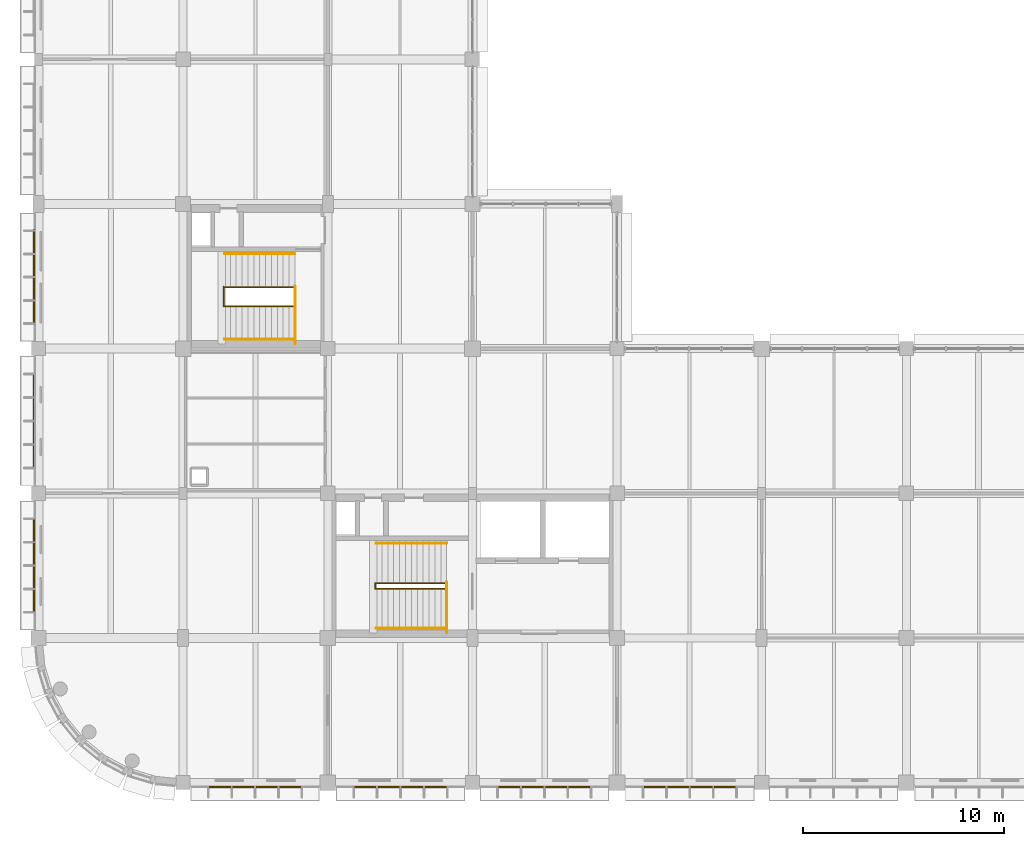
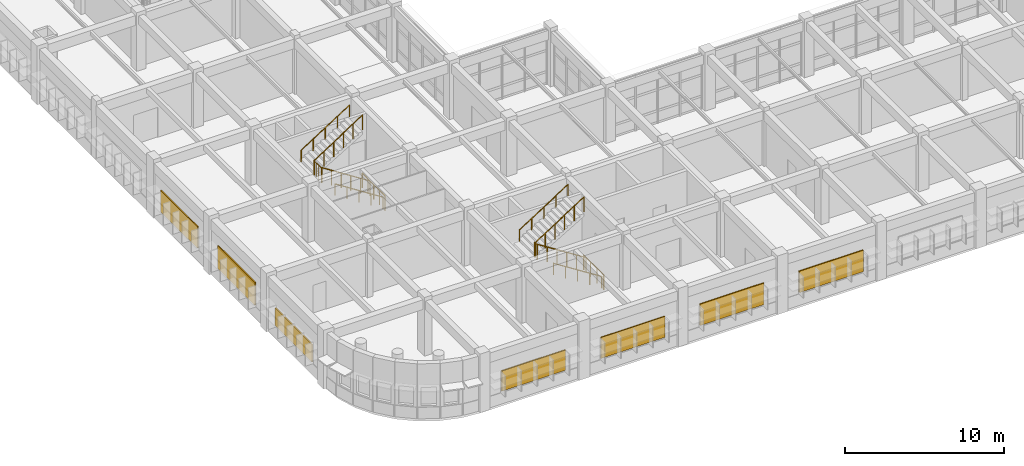
# One storey, part 164 of 171: 12 railings, 7 shading devices.
"""IFC4 building model written with IfcOpenShell, lengths in metres."""

from ifc_helpers import new_model, si_unit, direction, frame, origin, origin_2d, place, context, subcontext, project, spatial, rectangle, circle, extrude, material, layer, layer_set, type_object, element, save


model = new_model("IFC4")

# Units and contexts
model_context = context("Model", 3, precision=1e-05, world=origin(), true_north=direction((0.0, 1.0)))
body_context = subcontext(model_context, "Body", "Model", "MODEL_VIEW")
ifc_project = project(units=[si_unit("LENGTHUNIT", "METRE"), si_unit("AREAUNIT", "SQUARE_METRE"), si_unit("VOLUMEUNIT", "CUBIC_METRE"), si_unit("PLANEANGLEUNIT", "RADIAN"), si_unit("MASSUNIT", "GRAM", prefix="KILO")], contexts=[model_context])

# Site, building, storey
site_placement = place(None, origin())
site = spatial("IfcSite", under=ifc_project, at=site_placement, CompositionType="ELEMENT")
building_placement = place(site_placement, origin())
building = spatial("IfcBuilding", under=site, at=building_placement, Name="Thalmaran Polytechnic", CompositionType="ELEMENT")
storey_placement = place(building_placement, frame((0.0, 0.0, 5.39990234375)))
storey = spatial("IfcBuildingStorey", under=building, at=storey_placement, Name="L01", CompositionType="ELEMENT", Elevation=5.39990234375)

# Railings
ifc_material_1 = material(Name="Stainless steel 316", Category="steel")
railing_type_1 = type_object("IfcRailingType", Name="RL-GR01", PredefinedType="GUARDRAIL", material=ifc_material_1)
railing_1_placement = place(storey_placement, frame((20.330078125, 7.449951171875, 0.0)))
element("IfcRailing", 1, at=railing_1_placement, inside=storey, type_object=railing_type_1, Name="ST1 L01 Landing Edge Guardrail", PredefinedType="GUARDRAIL", context=body_context, shape_type="SweptSolid", body=[
    extrude(circle(Radius=0.02392578125, at=origin_2d()), frame((0.0, 0.0, 1.1259765625), z_axis=(0.0, 1.0, 0.0), x_axis=(-1.0, 0.0, 0.0)), (0.0, 0.0, 1.0), 2.530029296875),
    extrude(circle(Radius=0.02099609375, at=origin_2d()), origin(), (0.0, 0.0, 1.0), 1.101806640625),
    extrude(circle(Radius=0.02099609375, at=origin_2d()), frame((0.0, 0.84326171875, 0.0)), (0.0, 0.0, 1.0), 1.101806640625),
    extrude(circle(Radius=0.02099609375, at=origin_2d()), frame((0.0, 1.686767578125, 0.0)), (0.0, 0.0, 1.0), 1.101806640625),
    extrude(circle(Radius=0.02099609375, at=origin_2d()), frame((0.0, 2.530029296875, 0.0)), (0.0, 0.0, 1.0), 1.101806640625),
])
railing_2_placement = place(storey_placement, frame((20.320068359375, 9.659912109375, 0.0)))
element("IfcRailing", 2, at=railing_2_placement, inside=storey, type_object=railing_type_1, Name="ST1 L01 Lower Flight Guardrail", PredefinedType="GUARDRAIL", context=body_context, shape_type="SweptSolid", body=[
    extrude(circle(Radius=0.02392578125, at=origin_2d()), frame((0.0, 0.0, 1.1259765625), z_axis=(-0.84257692701, 0.0, 0.53857601327), x_axis=(0.0, -1.0, 0.0)), (0.0, 0.0, 1.0), 4.177734375),
    extrude(circle(Radius=0.02099609375, at=origin_2d()), origin(), (0.0, 0.0, 1.0), 1.101806640625),
    extrude(circle(Radius=0.02099609375, at=origin_2d()), frame((-0.7041015625, 0.0, 0.449951171875)), (0.0, 0.0, 1.0), 1.101806640625),
    extrude(circle(Radius=0.02099609375, at=origin_2d()), frame((-1.407958984375, 0.0, 0.89990234375)), (0.0, 0.0, 1.0), 1.101806640625),
    extrude(circle(Radius=0.02099609375, at=origin_2d()), frame((-2.112060546875, 0.0, 1.35009765625)), (0.0, 0.0, 1.0), 1.101806640625),
    extrude(circle(Radius=0.02099609375, at=origin_2d()), frame((-2.81591796875, 0.0, 1.800048828125)), (0.0, 0.0, 1.0), 1.101806640625),
    extrude(circle(Radius=0.02099609375, at=origin_2d()), frame((-3.52001953125, 0.0, 2.25)), (0.0, 0.0, 1.0), 1.101806640625),
])
railing_3_placement = place(storey_placement, frame((16.760009765625, 9.639892578125, 2.25)))
element("IfcRailing", 3, at=railing_3_placement, inside=storey, type_object=railing_type_1, Name="ST1 L01 Half-Landing Well Guardrail", PredefinedType="GUARDRAIL", context=body_context, shape_type="SweptSolid", body=[
    extrude(circle(Radius=0.02392578125, at=origin_2d()), frame((0.0, 0.0, 1.1259765625), z_axis=(0.0, 1.0, 0.0), x_axis=(-1.0, 0.0, 0.0)), (0.0, 0.0, 1.0), 0.300048828125),
    extrude(circle(Radius=0.02099609375, at=origin_2d()), origin(), (0.0, 0.0, 1.0), 1.101806640625),
    extrude(circle(Radius=0.02099609375, at=origin_2d()), frame((0.0, 0.300048828125, 0.0)), (0.0, 0.0, 1.0), 1.101806640625),
])
railing_4_placement = place(storey_placement, frame((16.800048828125, 9.919921875, 2.25)))
element("IfcRailing", 4, at=railing_4_placement, inside=storey, type_object=railing_type_1, Name="ST1 L01 Upper Flight Guardrail", PredefinedType="GUARDRAIL", context=body_context, shape_type="SweptSolid", body=[
    extrude(circle(Radius=0.02392578125, at=origin_2d()), frame((0.0, 0.0, 1.1259765625), z_axis=(0.84257692701, 0.0, 0.53857601327), x_axis=(0.0, 1.0, 0.0)), (0.0, 0.0, 1.0), 4.177734375),
    extrude(circle(Radius=0.02099609375, at=origin_2d()), origin(), (0.0, 0.0, 1.0), 1.101806640625),
    extrude(circle(Radius=0.02099609375, at=origin_2d()), frame((0.7041015625, 0.0, 0.449951171875)), (0.0, 0.0, 1.0), 1.101806640625),
    extrude(circle(Radius=0.02099609375, at=origin_2d()), frame((1.407958984375, 0.0, 0.89990234375)), (0.0, 0.0, 1.0), 1.101806640625),
    extrude(circle(Radius=0.02099609375, at=origin_2d()), frame((2.112060546875, 0.0, 1.35009765625)), (0.0, 0.0, 1.0), 1.101806640625),
    extrude(circle(Radius=0.02099609375, at=origin_2d()), frame((2.81591796875, 0.0, 1.800048828125)), (0.0, 0.0, 1.0), 1.101806640625),
    extrude(circle(Radius=0.02099609375, at=origin_2d()), frame((3.52001953125, 0.0, 2.25)), (0.0, 0.0, 1.0), 1.101806640625),
])
railing_5_placement = place(storey_placement, frame((12.77001953125, 21.85009765625, 0.0)))
element("IfcRailing", 5, at=railing_5_placement, inside=storey, type_object=railing_type_1, Name="ST3 L01 Landing Edge Guardrail", PredefinedType="GUARDRAIL", context=body_context, shape_type="SweptSolid", body=[
    extrude(circle(Radius=0.02392578125, at=origin_2d()), frame((0.0, 0.0, 1.1259765625), z_axis=(0.0, 1.0, 0.0), x_axis=(-1.0, 0.0, 0.0)), (0.0, 0.0, 1.0), 2.869873046875),
    extrude(circle(Radius=0.02099609375, at=origin_2d()), origin(), (0.0, 0.0, 1.0), 1.101806640625),
    extrude(circle(Radius=0.02099609375, at=origin_2d()), frame((0.0, 0.717529296875, 0.0)), (0.0, 0.0, 1.0), 1.101806640625),
    extrude(circle(Radius=0.02099609375, at=origin_2d()), frame((0.0, 1.43505859375, 0.0)), (0.0, 0.0, 1.0), 1.101806640625),
    extrude(circle(Radius=0.02099609375, at=origin_2d()), frame((0.0, 2.15234375, 0.0)), (0.0, 0.0, 1.0), 1.101806640625),
    extrude(circle(Radius=0.02099609375, at=origin_2d()), frame((0.0, 2.869873046875, 0.0)), (0.0, 0.0, 1.0), 1.101806640625),
])
railing_6_placement = place(storey_placement, frame((12.760009765625, 23.719970703125, 0.0)))
element("IfcRailing", 6, at=railing_6_placement, inside=storey, type_object=railing_type_1, Name="ST3 L01 Lower Flight Guardrail", PredefinedType="GUARDRAIL", context=body_context, shape_type="SweptSolid", body=[
    extrude(circle(Radius=0.02392578125, at=origin_2d()), frame((0.0, 0.0, 1.1259765625), z_axis=(-0.841178475377, 0.0, 0.540757591313), x_axis=(0.0, -1.0, 0.0)), (0.0, 0.0, 1.0), 4.160888671875),
    extrude(circle(Radius=0.02099609375, at=origin_2d()), origin(), (0.0, 0.0, 1.0), 1.101806640625),
    extrude(circle(Radius=0.02099609375, at=origin_2d()), frame((-0.699951171875, 0.0, 0.449951171875)), (0.0, 0.0, 1.0), 1.101806640625),
    extrude(circle(Radius=0.02099609375, at=origin_2d()), frame((-1.39990234375, 0.0, 0.89990234375)), (0.0, 0.0, 1.0), 1.101806640625),
    extrude(circle(Radius=0.02099609375, at=origin_2d()), frame((-2.10009765625, 0.0, 1.35009765625)), (0.0, 0.0, 1.0), 1.101806640625),
    extrude(circle(Radius=0.02099609375, at=origin_2d()), frame((-2.800048828125, 0.0, 1.800048828125)), (0.0, 0.0, 1.0), 1.101806640625),
    extrude(circle(Radius=0.02099609375, at=origin_2d()), frame((-3.5, 0.0, 2.25)), (0.0, 0.0, 1.0), 1.101806640625),
])
railing_7_placement = place(storey_placement, frame((9.219970703125, 23.699951171875, 2.25)))
element("IfcRailing", 7, at=railing_7_placement, inside=storey, type_object=railing_type_1, Name="ST3 L01 Half-Landing Well Guardrail", PredefinedType="GUARDRAIL", context=body_context, shape_type="SweptSolid", body=[
    extrude(circle(Radius=0.02392578125, at=origin_2d()), frame((0.0, 0.0, 1.1259765625), z_axis=(0.0, 1.0, 0.0), x_axis=(-1.0, 0.0, 0.0)), (0.0, 0.0, 1.0), 0.97998046875),
    extrude(circle(Radius=0.02099609375, at=origin_2d()), origin(), (0.0, 0.0, 1.0), 1.101806640625),
    extrude(circle(Radius=0.02099609375, at=origin_2d()), frame((0.0, 0.32666015625, 0.0)), (0.0, 0.0, 1.0), 1.101806640625),
    extrude(circle(Radius=0.02099609375, at=origin_2d()), frame((0.0, 0.6533203125, 0.0)), (0.0, 0.0, 1.0), 1.101806640625),
    extrude(circle(Radius=0.02099609375, at=origin_2d()), frame((0.0, 0.97998046875, 0.0)), (0.0, 0.0, 1.0), 1.101806640625),
])
railing_8_placement = place(storey_placement, frame((9.260009765625, 24.659912109375, 2.25)))
element("IfcRailing", 8, at=railing_8_placement, inside=storey, type_object=railing_type_1, Name="ST3 L01 Upper Flight Guardrail", PredefinedType="GUARDRAIL", context=body_context, shape_type="SweptSolid", body=[
    extrude(circle(Radius=0.02392578125, at=origin_2d()), frame((0.0, 0.0, 1.1259765625), z_axis=(0.841178475377, 0.0, 0.540757591313), x_axis=(0.0, 1.0, 0.0)), (0.0, 0.0, 1.0), 4.160888671875),
    extrude(circle(Radius=0.02099609375, at=origin_2d()), origin(), (0.0, 0.0, 1.0), 1.101806640625),
    extrude(circle(Radius=0.02099609375, at=origin_2d()), frame((0.699951171875, 0.0, 0.449951171875)), (0.0, 0.0, 1.0), 1.101806640625),
    extrude(circle(Radius=0.02099609375, at=origin_2d()), frame((1.39990234375, 0.0, 0.89990234375)), (0.0, 0.0, 1.0), 1.101806640625),
    extrude(circle(Radius=0.02099609375, at=origin_2d()), frame((2.10009765625, 0.0, 1.35009765625)), (0.0, 0.0, 1.0), 1.101806640625),
    extrude(circle(Radius=0.02099609375, at=origin_2d()), frame((2.800048828125, 0.0, 1.800048828125)), (0.0, 0.0, 1.0), 1.101806640625),
    extrude(circle(Radius=0.02099609375, at=origin_2d()), frame((3.5, 0.0, 2.25)), (0.0, 0.0, 1.0), 1.101806640625),
])
railing_type_2 = type_object("IfcRailingType", Name="RL-HR01", PredefinedType="HANDRAIL", material=ifc_material_1)
railing_9_placement = place(storey_placement, frame((20.320068359375, 7.679931640625, 0.0)))
element("IfcRailing", 9, at=railing_9_placement, inside=storey, type_object=railing_type_2, Name="ST1 L01 Flight 1 Handrail", PredefinedType="HANDRAIL", context=body_context, shape_type="SweptSolid", body=[
    extrude(circle(Radius=0.02392578125, at=origin_2d()), frame((0.0, 0.0, 0.8759765625), z_axis=(-0.84257692701, 0.0, 0.53857601327), x_axis=(0.0, -1.0, 0.0)), (0.0, 0.0, 1.0), 4.177734375),
    extrude(circle(Radius=0.02099609375, at=origin_2d()), origin(), (0.0, 0.0, 1.0), 0.851806640625),
    extrude(circle(Radius=0.02099609375, at=origin_2d()), frame((-0.8798828125, 0.0, 0.5625)), (0.0, 0.0, 1.0), 0.851806640625),
    extrude(circle(Radius=0.02099609375, at=origin_2d()), frame((-1.760009765625, 0.0, 1.125)), (0.0, 0.0, 1.0), 0.851806640625),
    extrude(circle(Radius=0.02099609375, at=origin_2d()), frame((-2.64013671875, 0.0, 1.6875)), (0.0, 0.0, 1.0), 0.851806640625),
    extrude(circle(Radius=0.02099609375, at=origin_2d()), frame((-3.52001953125, 0.0, 2.25)), (0.0, 0.0, 1.0), 0.851806640625),
])
railing_10_placement = place(storey_placement, frame((16.800048828125, 11.919921875, 2.25)))
element("IfcRailing", 10, at=railing_10_placement, inside=storey, type_object=railing_type_2, Name="ST1 L01 Flight 2 Handrail", PredefinedType="HANDRAIL", context=body_context, shape_type="SweptSolid", body=[
    extrude(circle(Radius=0.02392578125, at=origin_2d()), frame((0.0, 0.0, 0.8759765625), z_axis=(0.84257692701, 0.0, 0.53857601327), x_axis=(0.0, 1.0, 0.0)), (0.0, 0.0, 1.0), 4.177734375),
    extrude(circle(Radius=0.02099609375, at=origin_2d()), origin(), (0.0, 0.0, 1.0), 0.851806640625),
    extrude(circle(Radius=0.02099609375, at=origin_2d()), frame((0.8798828125, 0.0, 0.5625)), (0.0, 0.0, 1.0), 0.851806640625),
    extrude(circle(Radius=0.02099609375, at=origin_2d()), frame((1.760009765625, 0.0, 1.125)), (0.0, 0.0, 1.0), 0.851806640625),
    extrude(circle(Radius=0.02099609375, at=origin_2d()), frame((2.64013671875, 0.0, 1.6875)), (0.0, 0.0, 1.0), 0.851806640625),
    extrude(circle(Radius=0.02099609375, at=origin_2d()), frame((3.52001953125, 0.0, 2.25)), (0.0, 0.0, 1.0), 0.851806640625),
])
railing_11_placement = place(storey_placement, frame((12.760009765625, 22.080078125, 0.0)))
element("IfcRailing", 11, at=railing_11_placement, inside=storey, type_object=railing_type_2, Name="ST3 L01 Flight 1 Handrail", PredefinedType="HANDRAIL", context=body_context, shape_type="SweptSolid", body=[
    extrude(circle(Radius=0.02392578125, at=origin_2d()), frame((0.0, 0.0, 0.8759765625), z_axis=(-0.841178475377, 0.0, 0.540757591313), x_axis=(0.0, -1.0, 0.0)), (0.0, 0.0, 1.0), 4.160888671875),
    extrude(circle(Radius=0.02099609375, at=origin_2d()), origin(), (0.0, 0.0, 1.0), 0.851806640625),
    extrude(circle(Radius=0.02099609375, at=origin_2d()), frame((-0.875, 0.0, 0.5625)), (0.0, 0.0, 1.0), 0.851806640625),
    extrude(circle(Radius=0.02099609375, at=origin_2d()), frame((-1.75, 0.0, 1.125)), (0.0, 0.0, 1.0), 0.851806640625),
    extrude(circle(Radius=0.02099609375, at=origin_2d()), frame((-2.625, 0.0, 1.6875)), (0.0, 0.0, 1.0), 0.851806640625),
    extrude(circle(Radius=0.02099609375, at=origin_2d()), frame((-3.5, 0.0, 2.25)), (0.0, 0.0, 1.0), 0.851806640625),
])
railing_12_placement = place(storey_placement, frame((9.260009765625, 26.320068359375, 2.25)))
element("IfcRailing", 12, at=railing_12_placement, inside=storey, type_object=railing_type_2, Name="ST3 L01 Flight 2 Handrail", PredefinedType="HANDRAIL", context=body_context, shape_type="SweptSolid", body=[
    extrude(circle(Radius=0.02392578125, at=origin_2d()), frame((0.0, 0.0, 0.8759765625), z_axis=(0.841178475377, 0.0, 0.540757591313), x_axis=(0.0, 1.0, 0.0)), (0.0, 0.0, 1.0), 4.160888671875),
    extrude(circle(Radius=0.02099609375, at=origin_2d()), origin(), (0.0, 0.0, 1.0), 0.851806640625),
    extrude(circle(Radius=0.02099609375, at=origin_2d()), frame((0.875, 0.0, 0.5625)), (0.0, 0.0, 1.0), 0.851806640625),
    extrude(circle(Radius=0.02099609375, at=origin_2d()), frame((1.75, 0.0, 1.125)), (0.0, 0.0, 1.0), 0.851806640625),
    extrude(circle(Radius=0.02099609375, at=origin_2d()), frame((2.625, 0.0, 1.6875)), (0.0, 0.0, 1.0), 0.851806640625),
    extrude(circle(Radius=0.02099609375, at=origin_2d()), frame((3.5, 0.0, 2.25)), (0.0, 0.0, 1.0), 0.851806640625),
])

# Shading devices
ifc_material_2 = material(Name="Perforated anodised-bronze aluminium screen", Category="aluminium")
ifc_layer = layer(ifc_material_2, 0.080078125, Name="Perforated anodised-bronze aluminium screen")
ifc_layer_set = layer_set([ifc_layer], Name="Perforated anodised-bronze aluminium screen")
shading_device_type = type_object("IfcShadingDeviceType", Name="SH-JL01", PredefinedType="JALOUSIE", material=ifc_layer_set)
shading_device_1_placement = place(storey_placement, frame((-0.219970703125, 10.800048828125, 1.025146484375), z_axis=(0.0, 0.0, 1.0), x_axis=(0.0, 1.0, 0.0)))
element("IfcShadingDevice", 13, at=shading_device_1_placement, inside=storey, type_object=shading_device_type, Name="Anodised-Bronze Mashrabiya Solar Screen L01-002", PredefinedType="JALOUSIE", context=body_context, shape_type="SweptSolid", body=[
    extrude(rectangle(XDim=4.65478515625, YDim=0.080078125, at=origin_2d()), origin(), (0.0, 0.0, 1.0), 1.35009765625),
])
shading_device_2_placement = place(storey_placement, frame((-0.219970703125, 18.0, 1.025146484375), z_axis=(0.0, 0.0, 1.0), x_axis=(0.0, 1.0, 0.0)))
element("IfcShadingDevice", 14, at=shading_device_2_placement, inside=storey, type_object=shading_device_type, Name="Anodised-Bronze Mashrabiya Solar Screen L01-003", PredefinedType="JALOUSIE", context=body_context, shape_type="SweptSolid", body=[
    extrude(rectangle(XDim=4.6728515625, YDim=0.080078125, at=origin_2d()), origin(), (0.0, 0.0, 1.0), 1.75),
])
shading_device_3_placement = place(storey_placement, frame((-0.219970703125, 25.199951171875, 1.025146484375), z_axis=(0.0, 0.0, 1.0), x_axis=(0.0, 1.0, 0.0)))
element("IfcShadingDevice", 15, at=shading_device_3_placement, inside=storey, type_object=shading_device_type, Name="Anodised-Bronze Mashrabiya Solar Screen L01-004", PredefinedType="JALOUSIE", context=body_context, shape_type="SweptSolid", body=[
    extrude(rectangle(XDim=4.6259765625, YDim=0.080078125, at=origin_2d()), origin(), (0.0, 0.0, 1.0), 1.64990234375),
])
for number, where, z_axis, x_axis, name in (
    (16, (32.39990234375, -0.219970703125, 1.025146484375), (0.0, 0.0, 1.0), (-1.0, 0.0, 0.0), "Anodised-Bronze Mashrabiya Solar Screen L01-088"),
    (17, (25.199951171875, -0.219970703125, 1.025146484375), (0.0, 0.0, 1.0), (-1.0, 0.0, 0.0), "Anodised-Bronze Mashrabiya Solar Screen L01-089"),
):
    element("IfcShadingDevice", number, at=place(storey_placement, frame(where, z_axis=z_axis, x_axis=x_axis)), inside=storey, type_object=shading_device_type, Name=name, PredefinedType="JALOUSIE", context=body_context, shape_type="SweptSolid", body=[
        extrude(rectangle(XDim=4.651123046875, YDim=0.080078125, at=origin_2d()), origin(), (0.0, 0.0, 1.0), 1.64990234375),
    ])
shading_device_4_placement = place(storey_placement, frame((18.0, -0.219970703125, 1.025146484375), z_axis=(0.0, 0.0, 1.0), x_axis=(-1.0, 0.0, 0.0)))
element("IfcShadingDevice", 18, at=shading_device_4_placement, inside=storey, type_object=shading_device_type, Name="Anodised-Bronze Mashrabiya Solar Screen L01-090", PredefinedType="JALOUSIE", context=body_context, shape_type="SweptSolid", body=[
    extrude(rectangle(XDim=4.651123046875, YDim=0.080078125, at=origin_2d()), origin(), (0.0, 0.0, 1.0), 1.60009765625),
])
shading_device_5_placement = place(storey_placement, frame((10.800048828125, -0.219970703125, 1.02490234375), z_axis=(0.0, 0.0, 1.0), x_axis=(-1.0, 0.0, 0.0)))
element("IfcShadingDevice", 19, at=shading_device_5_placement, inside=storey, type_object=shading_device_type, Name="Anodised-Bronze Mashrabiya Solar Screen L01-091", PredefinedType="JALOUSIE", context=body_context, shape_type="SweptSolid", body=[
    extrude(rectangle(XDim=4.651123046875, YDim=0.080078125, at=origin_2d()), origin(), (0.0, 0.0, 1.0), 1.550048828125),
])

save(model, "model.ifc")
